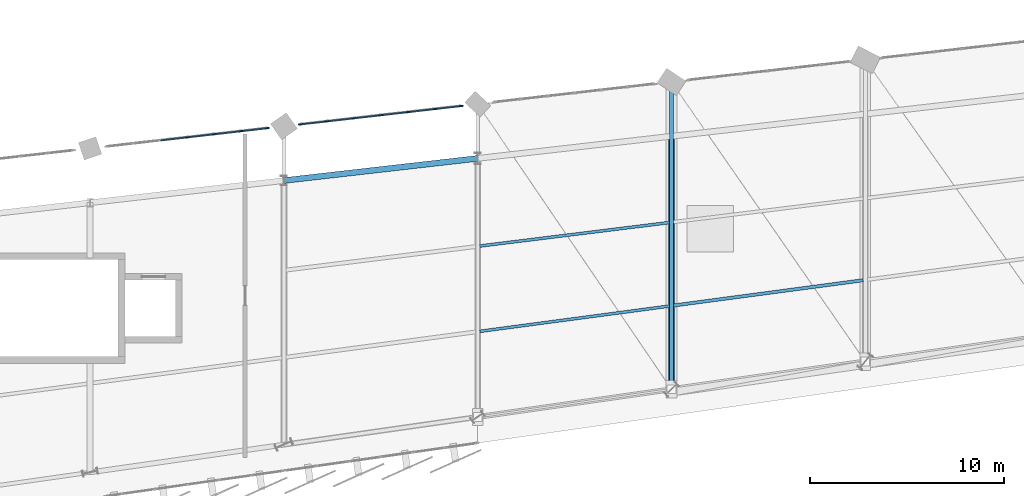
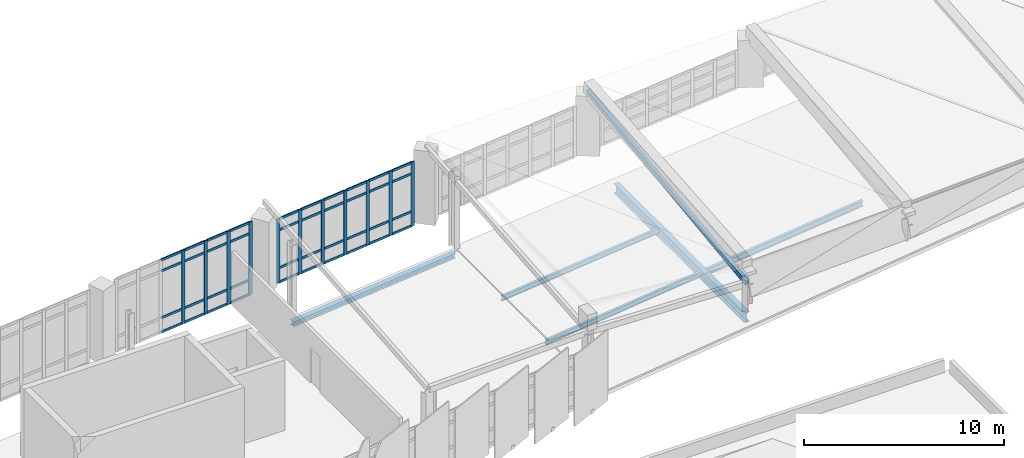
# One storey, part 24 of 67: 52 members, 5 beams, 2 elements without a shape of their own.
"""IFC4 building model written with IfcOpenShell, lengths in metres."""

import ifcopenshell
import ifcopenshell.guid

model = None  # the IFC model being written
_history = None  # IfcOwnerHistory: only IFC2X3 demands one
_inside = {}  # id of a spatial element -> (the spatial element, [elements in it])
_under = {}  # id of a project, library or spatial element -> (it, [spatial elements below it])
_declared = {}  # id of a project -> (the project, [libraries it declares])
_typed = {}  # id of a type object -> (the type object, [elements of that type])
_made_of = {}  # id of a material, layer set ... -> (it, [elements and type objects made of it])


def new_model(schema):
    """Start an empty IFC model of exactly this schema.

    Asked for "IFC4X3", IfcOpenShell would pick the latest addendum, in which some entities
    have other attributes; the version numbers below select the first issue.
    IFC2X3 requires an IfcOwnerHistory on every rooted entity: one is made here for all.
    """
    global model, _history
    if schema == "IFC4X3":
        model = ifcopenshell.file(schema_version=(4, 3, 0, 0))
    else:
        model = ifcopenshell.file(schema=schema)
    _inside.clear()
    _under.clear()
    _declared.clear()
    _typed.clear()
    _made_of.clear()
    _history = None
    if model.schema == "IFC2X3":
        org = make("IfcOrganization", Name="unknown")
        user = make(
            "IfcPersonAndOrganization",
            ThePerson=make("IfcPerson", FamilyName="unknown"),
            TheOrganization=org,
        )
        app = make(
            "IfcApplication",
            ApplicationDeveloper=org,
            Version="unknown",
            ApplicationFullName="unknown",
            ApplicationIdentifier="unknown",
        )
        _history = make(
            "IfcOwnerHistory",
            OwningUser=user,
            OwningApplication=app,
            ChangeAction="ADDED",
            CreationDate=0,
        )
    return model


def make(cls, **values):
    """One entity of the class cls with the attributes given. An attribute that is None is left unset."""
    return model.create_entity(
        cls, **{name: value for name, value in values.items() if value is not None}
    )


def rooted(cls, **values):
    """An entity with a GlobalId (a new one), such as an element, a storey or a relation."""
    return make(cls, GlobalId=ifcopenshell.guid.new(), OwnerHistory=_history, **values)


def si_unit(unit_type, name, prefix=None):
    """IfcSIUnit, for example si_unit("LENGTHUNIT", "METRE", prefix="MILLI")."""
    return make("IfcSIUnit", UnitType=unit_type, Prefix=prefix, Name=name)


def assignment(units):
    """IfcUnitAssignment: the units of a project."""
    return None if units is None else make("IfcUnitAssignment", Units=units)


def point(xyz):
    """IfcCartesianPoint."""
    return None if xyz is None else make("IfcCartesianPoint", Coordinates=xyz)


def direction(xyz):
    """IfcDirection."""
    return None if xyz is None else make("IfcDirection", DirectionRatios=xyz)


def frame(location, z_axis=None, x_axis=None):
    """IfcAxis2Placement3D, a coordinate frame: its origin and axes. An axis left out is left unset."""
    return make(
        "IfcAxis2Placement3D",
        Location=point(location),
        Axis=direction(z_axis),
        RefDirection=direction(x_axis),
    )


def frame_2d(location, x_axis=None):
    """IfcAxis2Placement2D, a coordinate frame in the plane: its origin and x axis."""
    return make(
        "IfcAxis2Placement2D", Location=point(location), RefDirection=direction(x_axis)
    )


def origin():
    """The frame at (0, 0, 0) with its axes left unset."""
    return frame((0.0, 0.0, 0.0))


def origin_2d():
    """The frame at (0, 0) in the plane with its x axis left unset."""
    return frame_2d((0.0, 0.0))


def place(relative_to, where):
    """IfcLocalPlacement: puts the frame where relative to a parent placement (None: the world)."""
    return make(
        "IfcLocalPlacement", PlacementRelTo=relative_to, RelativePlacement=where
    )


def context(
    kind, dimensions, precision=None, world=None, true_north=None, identifier=None
):
    """IfcGeometricRepresentationContext, for example the 3D "Model" context."""
    return make(
        "IfcGeometricRepresentationContext",
        ContextIdentifier=identifier,
        ContextType=kind,
        CoordinateSpaceDimension=dimensions,
        Precision=precision,
        WorldCoordinateSystem=world,
        TrueNorth=true_north,
    )


def subcontext(parent, identifier, kind, view, scale=None):
    """IfcGeometricRepresentationSubContext, for example "Body" below "Model"."""
    return make(
        "IfcGeometricRepresentationSubContext",
        ContextIdentifier=identifier,
        ContextType=kind,
        ParentContext=parent,
        TargetScale=scale,
        TargetView=view,
    )


def project(units=None, contexts=None):
    """IfcProject with its units and contexts."""
    return rooted(
        "IfcProject",
        Name="project",
        RepresentationContexts=contexts,
        UnitsInContext=assignment(units),
    )


def spatial(cls, under=None, at=None, **own):
    """A site, building, storey or space (cls), placed at a placement, below another one or the project."""
    s = rooted(cls, ObjectPlacement=at, **own)
    if under is not None:
        _under.setdefault(under.id(), (under, []))[1].append(s)
    return s


def profile(cls, at=None, kind="AREA", **sizes):
    """A parametric profile (cls). Its sizes go by their IFC names, for example OverallWidth=200.0."""
    return make(cls, ProfileType=kind, Position=at, **sizes)


def rectangle(**sizes):
    """IfcRectangleProfileDef."""
    return profile("IfcRectangleProfileDef", **sizes)


def hollow_rectangle(**sizes):
    """IfcRectangleHollowProfileDef."""
    return profile("IfcRectangleHollowProfileDef", **sizes)


def i_section(**sizes):
    """IfcIShapeProfileDef."""
    return profile("IfcIShapeProfileDef", **sizes)


def extrude(swept, where, along, depth):
    """IfcExtrudedAreaSolid: the profile swept, set in the frame where, extruded along a direction by depth."""
    return make(
        "IfcExtrudedAreaSolid",
        SweptArea=swept,
        Position=where,
        ExtrudedDirection=direction(along),
        Depth=depth,
    )


def shape(context_of_items, identifier, shape_type, items):
    """IfcShapeRepresentation: the items that make up one representation, for example the "Body"."""
    return make(
        "IfcShapeRepresentation",
        ContextOfItems=context_of_items,
        RepresentationIdentifier=identifier,
        RepresentationType=shape_type,
        Items=items,
    )


def material(Name=None, Category=None):
    """IfcMaterial."""
    return make("IfcMaterial", Name=Name, Category=Category)


def layer(
    of_material, thickness, ventilated=None, Name=None, Category=None, Priority=None
):
    """IfcMaterialLayer: one layer of a wall or slab, of a material (None: an air gap)."""
    return make(
        "IfcMaterialLayer",
        Material=of_material,
        LayerThickness=thickness,
        IsVentilated=ventilated,
        Name=Name,
        Category=Category,
        Priority=Priority,
    )


def layer_set(layers, Name=None):
    """IfcMaterialLayerSet."""
    return make("IfcMaterialLayerSet", MaterialLayers=layers, LayerSetName=Name)


def material_profile(
    of_material, cross_section, Name=None, Category=None, Priority=None
):
    """IfcMaterialProfile: a cross section and its material."""
    return make(
        "IfcMaterialProfile",
        Name=Name,
        Material=of_material,
        Profile=cross_section,
        Priority=Priority,
        Category=Category,
    )


def profile_set(profiles, Name=None, composite=None):
    """IfcMaterialProfileSet."""
    return make(
        "IfcMaterialProfileSet",
        Name=Name,
        MaterialProfiles=profiles,
        CompositeProfile=composite,
    )


def made_of(thing, what):
    """Note that an element or type object is made of a material, layer set ...; save() writes the relation."""
    if what is not None:
        _made_of.setdefault(what.id(), (what, []))[1].append(thing)
    return thing


def type_object(cls, material=None, **own):
    """A type object (cls), such as IfcWallType, which elements share."""
    return made_of(rooted(cls, **own), material)


def element(
    cls,
    number,
    at=None,
    inside=None,
    cuts=None,
    type_object=None,
    material=None,
    context=None,
    identifier="Body",
    shape_type=None,
    held_by="IfcProductDefinitionShape",
    body=None,
    shapes=None,
    **own,
):
    """One element of the class cls, such as IfcWall. Its Tag is "e" and its number.

    at: its placement. inside: the storey or other place that contains it. cuts: it is an
    opening in that element (IfcRelVoidsElement). A single representation is given by context,
    identifier, shape_type and body (its items); several are given by shapes. held_by: the class
    of the entity that holds the representations. save() writes the other relations.
    """
    e = rooted(cls, Tag="e%d" % number, ObjectPlacement=at, **own)
    if body is not None:
        shapes = [shape(context, identifier, shape_type, body)]
    if shapes is not None:
        e.Representation = make(held_by, Representations=shapes)
    if inside is not None:
        _inside.setdefault(inside.id(), (inside, []))[1].append(e)
    if cuts is not None:
        rooted(
            "IfcRelVoidsElement", RelatingBuildingElement=cuts, RelatedOpeningElement=e
        )
    if type_object is not None:
        _typed.setdefault(type_object.id(), (type_object, []))[1].append(e)
    return made_of(e, material)


def aggregate(whole, parts):
    """IfcRelAggregates: a whole, such as a stair, and the parts it consists of."""
    return rooted("IfcRelAggregates", RelatingObject=whole, RelatedObjects=parts)


def save(model, path):
    """Write the relations noted so far, then the file.

    IfcRelAggregates (storeys below a building ...), IfcRelContainedInSpatialStructure (elements
    in a storey), IfcRelDefinesByType, IfcRelAssociatesMaterial and IfcRelDeclares: one each for
    every whole, place, type object, material and project.
    """
    for whole, parts in _under.values():
        aggregate(whole, parts)
    for where, things in _inside.values():
        rooted(
            "IfcRelContainedInSpatialStructure",
            RelatedElements=things,
            RelatingStructure=where,
        )
    for kind, things in _typed.values():
        rooted("IfcRelDefinesByType", RelatedObjects=things, RelatingType=kind)
    for what, things in _made_of.values():
        rooted("IfcRelAssociatesMaterial", RelatedObjects=things, RelatingMaterial=what)
    for by, libraries in _declared.values():
        rooted("IfcRelDeclares", RelatingContext=by, RelatedDefinitions=libraries)
    model.write(path)


model = new_model("IFC4")

# Units and contexts
model_context = context("Model", 3, precision=1e-05, world=origin(), true_north=direction((0.0, 1.0)))
body_context = subcontext(model_context, "Body", "Model", "MODEL_VIEW")
ifc_project = project(units=[si_unit("LENGTHUNIT", "METRE"), si_unit("AREAUNIT", "SQUARE_METRE"), si_unit("VOLUMEUNIT", "CUBIC_METRE"), si_unit("PLANEANGLEUNIT", "RADIAN"), si_unit("MASSUNIT", "GRAM", prefix="KILO")], contexts=[model_context])

# Site, building, storey
site_placement = place(None, origin())
site = spatial("IfcSite", under=ifc_project, at=site_placement, CompositionType="ELEMENT")
building_placement = place(site_placement, origin())
building = spatial("IfcBuilding", under=site, at=building_placement, Name="Sohan Crest Arena", CompositionType="ELEMENT")
storey_placement = place(building_placement, frame((0.0, 0.0, 22.5)))
storey = spatial("IfcBuildingStorey", under=building, at=storey_placement, Name="L05", CompositionType="ELEMENT", Elevation=22.5)

# Curtain wall, members
ifc_material_1 = material(Name="Thermally broken anodised aluminium", Category="aluminium")
ifc_layer = layer(ifc_material_1, 0.18994140625, Name="Thermally broken anodised aluminium")
ifc_layer_set = layer_set([ifc_layer], Name="Thermally broken anodised aluminium")
curtain_wall_type = type_object("IfcCurtainWallType", Name="ARC-CW05", PredefinedType="NOTDEFINED", material=ifc_layer_set)
curtain_wall_1_placement = place(storey_placement, origin())
curtain_wall_1 = element("IfcCurtainWall", 1, at=curtain_wall_1_placement, inside=storey, type_object=curtain_wall_type, Name="Unitised curtain wall CW-190", PredefinedType="NOTDEFINED")
ifc_material_profile_1 = material_profile(ifc_material_1, rectangle(XDim=0.070068359375, YDim=0.199951171875, at=origin_2d()), Name="ALU-MULL 70x200")
ifc_profile_set_1 = profile_set([ifc_material_profile_1], Name="Thermally broken anodised aluminium")
member_type_1 = type_object("IfcMemberType", Name="ARC-CW-ML03", PredefinedType="MULLION", material=ifc_profile_set_1)
member_1_placement = place(storey_placement, frame((113.0, 48.714599609375, 0.0), z_axis=(0.0, 0.0, 1.0), x_axis=(-0.11359680696, 0.993526932422, 0.0)))
member_1 = element("IfcMember", 2, at=member_1_placement, type_object=member_type_1, Name="CW-190 mullion 4", PredefinedType="MULLION", context=body_context, shape_type="SweptSolid", body=[
    extrude(rectangle(XDim=0.070068359375, YDim=0.199951171875, at=origin_2d()), origin(), (0.0, 0.0, 1.0), 4.449951171875),
])
member_2_placement = place(storey_placement, frame((114.39501953125, 48.8740234375, 0.0), z_axis=(0.0, 0.0, 1.0), x_axis=(-0.11359680696, 0.993526932422, 0.0)))
member_2 = element("IfcMember", 3, at=member_2_placement, type_object=member_type_1, Name="CW-190 mullion 5", PredefinedType="MULLION", context=body_context, shape_type="SweptSolid", body=[
    extrude(rectangle(XDim=0.070068359375, YDim=0.199951171875, at=origin_2d()), origin(), (0.0, 0.0, 1.0), 4.449951171875),
])
member_3_placement = place(storey_placement, frame((115.7900390625, 49.033447265625, 0.0), z_axis=(0.0, 0.0, 1.0), x_axis=(-0.11359680696, 0.993526932422, 0.0)))
member_3 = element("IfcMember", 4, at=member_3_placement, type_object=member_type_1, Name="CW-190 mullion 6", PredefinedType="MULLION", context=body_context, shape_type="SweptSolid", body=[
    extrude(rectangle(XDim=0.070068359375, YDim=0.199951171875, at=origin_2d()), origin(), (0.0, 0.0, 1.0), 4.449951171875),
])
member_4_placement = place(storey_placement, frame((117.150146484375, 49.18896484375, 0.0), z_axis=(0.0, 0.0, 1.0), x_axis=(-0.11359680696, 0.993526932422, 0.0)))
member_4 = element("IfcMember", 5, at=member_4_placement, type_object=member_type_1, Name="CW-190 mullion 7", PredefinedType="MULLION", context=body_context, shape_type="SweptSolid", body=[
    extrude(rectangle(XDim=0.070068359375, YDim=0.199951171875, at=origin_2d()), origin(), (0.0, 0.0, 1.0), 4.449951171875),
])

curtain_wall_2_placement = place(storey_placement, origin())
curtain_wall_2 = element("IfcCurtainWall", 6, at=curtain_wall_2_placement, inside=storey, type_object=curtain_wall_type, Name="Unitised curtain wall CW-191", PredefinedType="NOTDEFINED")
member_5_placement = place(storey_placement, frame((118.849853515625, 49.383056640625, 0.0), z_axis=(0.0, 0.0, 1.0), x_axis=(-0.11359680696, 0.993526932422, 0.0)))
member_5 = element("IfcMember", 7, at=member_5_placement, type_object=member_type_1, Name="CW-191 mullion 1", PredefinedType="MULLION", context=body_context, shape_type="SweptSolid", body=[
    extrude(rectangle(XDim=0.070068359375, YDim=0.199951171875, at=origin_2d()), origin(), (0.0, 0.0, 1.0), 3.906005859375),
])
member_6_placement = place(storey_placement, frame((120.2099609375, 49.53857421875, 0.0), z_axis=(0.0, 0.0, 1.0), x_axis=(-0.11359680696, 0.993526932422, 0.0)))
member_6 = element("IfcMember", 8, at=member_6_placement, type_object=member_type_1, Name="CW-191 mullion 2", PredefinedType="MULLION", context=body_context, shape_type="SweptSolid", body=[
    extrude(rectangle(XDim=0.070068359375, YDim=0.199951171875, at=origin_2d()), origin(), (0.0, 0.0, 1.0), 3.906005859375),
])
member_7_placement = place(storey_placement, frame((121.60498046875, 49.697998046875, 0.0), z_axis=(0.0, 0.0, 1.0), x_axis=(-0.11359680696, 0.993526932422, 0.0)))
member_7 = element("IfcMember", 9, at=member_7_placement, type_object=member_type_1, Name="CW-191 mullion 3", PredefinedType="MULLION", context=body_context, shape_type="SweptSolid", body=[
    extrude(rectangle(XDim=0.070068359375, YDim=0.199951171875, at=origin_2d()), origin(), (0.0, 0.0, 1.0), 3.906005859375),
])
member_8_placement = place(storey_placement, frame((123.0, 49.857421875, 0.0), z_axis=(0.0, 0.0, 1.0), x_axis=(-0.11359680696, 0.993526932422, 0.0)))
member_8 = element("IfcMember", 10, at=member_8_placement, type_object=member_type_1, Name="CW-191 mullion 4", PredefinedType="MULLION", context=body_context, shape_type="SweptSolid", body=[
    extrude(rectangle(XDim=0.070068359375, YDim=0.199951171875, at=origin_2d()), origin(), (0.0, 0.0, 1.0), 3.906005859375),
])
member_9_placement = place(storey_placement, frame((124.39501953125, 50.01708984375, 0.0), z_axis=(0.0, 0.0, 1.0), x_axis=(-0.11359680696, 0.993526932422, 0.0)))
member_9 = element("IfcMember", 11, at=member_9_placement, type_object=member_type_1, Name="CW-191 mullion 5", PredefinedType="MULLION", context=body_context, shape_type="SweptSolid", body=[
    extrude(rectangle(XDim=0.070068359375, YDim=0.199951171875, at=origin_2d()), origin(), (0.0, 0.0, 1.0), 3.906005859375),
])
member_10_placement = place(storey_placement, frame((125.7900390625, 50.176513671875, 0.0), z_axis=(0.0, 0.0, 1.0), x_axis=(-0.11359680696, 0.993526932422, 0.0)))
member_10 = element("IfcMember", 12, at=member_10_placement, type_object=member_type_1, Name="CW-191 mullion 6", PredefinedType="MULLION", context=body_context, shape_type="SweptSolid", body=[
    extrude(rectangle(XDim=0.070068359375, YDim=0.199951171875, at=origin_2d()), origin(), (0.0, 0.0, 1.0), 3.906005859375),
])
member_11_placement = place(storey_placement, frame((127.150146484375, 50.33203125, 0.0), z_axis=(0.0, 0.0, 1.0), x_axis=(-0.11359680696, 0.993526932422, 0.0)))
member_11 = element("IfcMember", 13, at=member_11_placement, type_object=member_type_1, Name="CW-191 mullion 7", PredefinedType="MULLION", context=body_context, shape_type="SweptSolid", body=[
    extrude(rectangle(XDim=0.070068359375, YDim=0.199951171875, at=origin_2d()), origin(), (0.0, 0.0, 1.0), 3.906005859375),
])

# Member
ifc_material_profile_2 = material_profile(ifc_material_1, rectangle(XDim=0.06494140625, YDim=0.139892578125, at=origin_2d()), Name="ALU-TRAN 65x140")
ifc_profile_set_2 = profile_set([ifc_material_profile_2], Name="Thermally broken anodised aluminium")
member_type_2 = type_object("IfcMemberType", Name="ARC-CW-TR02", PredefinedType="USERDEFINED", material=ifc_profile_set_2)
member_12_placement = place(storey_placement, frame((111.639892578125, 48.55908203125, 0.032470703125), z_axis=(0.993542107108, 0.113464009285, 0.0), x_axis=(-0.113464009285, 0.993542107108, 0.0)))
member_12 = element("IfcMember", 14, at=member_12_placement, type_object=member_type_2, Name="CW-190 transom 3.1", ObjectType="TRANSOM", PredefinedType="USERDEFINED", context=body_context, shape_type="SweptSolid", body=[
    extrude(rectangle(XDim=0.06494140625, YDim=0.139892578125, at=origin_2d()), origin(), (0.0, 0.0, 1.0), 1.333984375),
])

member_13_placement = place(storey_placement, frame((111.639892578125, 48.55908203125, 0.89990234375), z_axis=(0.993542107108, 0.113464009285, 0.0), x_axis=(-0.113464009285, 0.993542107108, 0.0)))
member_13 = element("IfcMember", 15, at=member_13_placement, type_object=member_type_2, Name="CW-190 transom 3.2", ObjectType="TRANSOM", PredefinedType="USERDEFINED", context=body_context, shape_type="SweptSolid", body=[
    extrude(rectangle(XDim=0.06494140625, YDim=0.139892578125, at=origin_2d()), origin(), (0.0, 0.0, 1.0), 1.333984375),
])

member_14_placement = place(storey_placement, frame((111.639892578125, 48.55908203125, 3.75), z_axis=(0.993542107108, 0.113464009285, 0.0), x_axis=(-0.113464009285, 0.993542107108, 0.0)))
member_14 = element("IfcMember", 16, at=member_14_placement, type_object=member_type_2, Name="CW-190 transom 3.3", ObjectType="TRANSOM", PredefinedType="USERDEFINED", context=body_context, shape_type="SweptSolid", body=[
    extrude(rectangle(XDim=0.06494140625, YDim=0.139892578125, at=origin_2d()), origin(), (0.0, 0.0, 1.0), 1.333984375),
])

member_15_placement = place(storey_placement, frame((111.639892578125, 48.55908203125, 4.41748046875), z_axis=(0.993542107108, 0.113464009285, 0.0), x_axis=(-0.113464009285, 0.993542107108, 0.0)))
member_15 = element("IfcMember", 17, at=member_15_placement, type_object=member_type_2, Name="CW-190 transom 3.4", ObjectType="TRANSOM", PredefinedType="USERDEFINED", context=body_context, shape_type="SweptSolid", body=[
    extrude(rectangle(XDim=0.06494140625, YDim=0.139892578125, at=origin_2d()), origin(), (0.0, 0.0, 1.0), 1.333984375),
])

member_16_placement = place(storey_placement, frame((113.03466796875, 48.718505859375, 0.032470703125), z_axis=(0.993521460563, 0.113644654082, 0.0), x_axis=(-0.113644654082, 0.993521460563, 0.0)))
member_16 = element("IfcMember", 18, at=member_16_placement, type_object=member_type_2, Name="CW-190 transom 4.1", ObjectType="TRANSOM", PredefinedType="USERDEFINED", context=body_context, shape_type="SweptSolid", body=[
    extrude(rectangle(XDim=0.06494140625, YDim=0.139892578125, at=origin_2d()), origin(), (0.0, 0.0, 1.0), 1.333984375),
])

member_17_placement = place(storey_placement, frame((113.03466796875, 48.718505859375, 0.89990234375), z_axis=(0.993521460563, 0.113644654082, 0.0), x_axis=(-0.113644654082, 0.993521460563, 0.0)))
member_17 = element("IfcMember", 19, at=member_17_placement, type_object=member_type_2, Name="CW-190 transom 4.2", ObjectType="TRANSOM", PredefinedType="USERDEFINED", context=body_context, shape_type="SweptSolid", body=[
    extrude(rectangle(XDim=0.06494140625, YDim=0.139892578125, at=origin_2d()), origin(), (0.0, 0.0, 1.0), 1.333984375),
])

member_18_placement = place(storey_placement, frame((113.03466796875, 48.718505859375, 3.75), z_axis=(0.993521460563, 0.113644654082, 0.0), x_axis=(-0.113644654082, 0.993521460563, 0.0)))
member_18 = element("IfcMember", 20, at=member_18_placement, type_object=member_type_2, Name="CW-190 transom 4.3", ObjectType="TRANSOM", PredefinedType="USERDEFINED", context=body_context, shape_type="SweptSolid", body=[
    extrude(rectangle(XDim=0.06494140625, YDim=0.139892578125, at=origin_2d()), origin(), (0.0, 0.0, 1.0), 1.333984375),
])

member_19_placement = place(storey_placement, frame((113.03466796875, 48.718505859375, 4.41748046875), z_axis=(0.993521460563, 0.113644654082, 0.0), x_axis=(-0.113644654082, 0.993521460563, 0.0)))
member_19 = element("IfcMember", 21, at=member_19_placement, type_object=member_type_2, Name="CW-190 transom 4.4", ObjectType="TRANSOM", PredefinedType="USERDEFINED", context=body_context, shape_type="SweptSolid", body=[
    extrude(rectangle(XDim=0.06494140625, YDim=0.139892578125, at=origin_2d()), origin(), (0.0, 0.0, 1.0), 1.333984375),
])

member_20_placement = place(storey_placement, frame((114.4296875, 48.8779296875, 0.032470703125), z_axis=(0.993521460563, 0.113644654082, 0.0), x_axis=(-0.113644654082, 0.993521460563, 0.0)))
member_20 = element("IfcMember", 22, at=member_20_placement, type_object=member_type_2, Name="CW-190 transom 5.1", ObjectType="TRANSOM", PredefinedType="USERDEFINED", context=body_context, shape_type="SweptSolid", body=[
    extrude(rectangle(XDim=0.06494140625, YDim=0.139892578125, at=origin_2d()), origin(), (0.0, 0.0, 1.0), 1.333984375),
])

member_21_placement = place(storey_placement, frame((114.4296875, 48.8779296875, 0.89990234375), z_axis=(0.993521460563, 0.113644654082, 0.0), x_axis=(-0.113644654082, 0.993521460563, 0.0)))
member_21 = element("IfcMember", 23, at=member_21_placement, type_object=member_type_2, Name="CW-190 transom 5.2", ObjectType="TRANSOM", PredefinedType="USERDEFINED", context=body_context, shape_type="SweptSolid", body=[
    extrude(rectangle(XDim=0.06494140625, YDim=0.139892578125, at=origin_2d()), origin(), (0.0, 0.0, 1.0), 1.333984375),
])

member_22_placement = place(storey_placement, frame((114.4296875, 48.8779296875, 3.75), z_axis=(0.993521460563, 0.113644654082, 0.0), x_axis=(-0.113644654082, 0.993521460563, 0.0)))
member_22 = element("IfcMember", 24, at=member_22_placement, type_object=member_type_2, Name="CW-190 transom 5.3", ObjectType="TRANSOM", PredefinedType="USERDEFINED", context=body_context, shape_type="SweptSolid", body=[
    extrude(rectangle(XDim=0.06494140625, YDim=0.139892578125, at=origin_2d()), origin(), (0.0, 0.0, 1.0), 1.333984375),
])

member_23_placement = place(storey_placement, frame((114.4296875, 48.8779296875, 4.41748046875), z_axis=(0.993521460563, 0.113644654082, 0.0), x_axis=(-0.113644654082, 0.993521460563, 0.0)))
member_23 = element("IfcMember", 25, at=member_23_placement, type_object=member_type_2, Name="CW-190 transom 5.4", ObjectType="TRANSOM", PredefinedType="USERDEFINED", context=body_context, shape_type="SweptSolid", body=[
    extrude(rectangle(XDim=0.06494140625, YDim=0.139892578125, at=origin_2d()), origin(), (0.0, 0.0, 1.0), 1.333984375),
])

member_24_placement = place(storey_placement, frame((115.82470703125, 49.03759765625, 0.032470703125), z_axis=(0.993537517414, 0.113504191511, 0.0), x_axis=(-0.113504191511, 0.993537517414, 0.0)))
member_24 = element("IfcMember", 26, at=member_24_placement, type_object=member_type_2, Name="CW-190 transom 6.1", ObjectType="TRANSOM", PredefinedType="USERDEFINED", context=body_context, shape_type="SweptSolid", body=[
    extrude(rectangle(XDim=0.06494140625, YDim=0.139892578125, at=origin_2d()), origin(), (0.0, 0.0, 1.0), 1.299072265625),
])

member_25_placement = place(storey_placement, frame((115.82470703125, 49.03759765625, 0.89990234375), z_axis=(0.993537517414, 0.113504191511, 0.0), x_axis=(-0.113504191511, 0.993537517414, 0.0)))
member_25 = element("IfcMember", 27, at=member_25_placement, type_object=member_type_2, Name="CW-190 transom 6.2", ObjectType="TRANSOM", PredefinedType="USERDEFINED", context=body_context, shape_type="SweptSolid", body=[
    extrude(rectangle(XDim=0.06494140625, YDim=0.139892578125, at=origin_2d()), origin(), (0.0, 0.0, 1.0), 1.299072265625),
])

member_26_placement = place(storey_placement, frame((115.82470703125, 49.03759765625, 3.75), z_axis=(0.993537517414, 0.113504191511, 0.0), x_axis=(-0.113504191511, 0.993537517414, 0.0)))
member_26 = element("IfcMember", 28, at=member_26_placement, type_object=member_type_2, Name="CW-190 transom 6.3", ObjectType="TRANSOM", PredefinedType="USERDEFINED", context=body_context, shape_type="SweptSolid", body=[
    extrude(rectangle(XDim=0.06494140625, YDim=0.139892578125, at=origin_2d()), origin(), (0.0, 0.0, 1.0), 1.299072265625),
])

member_27_placement = place(storey_placement, frame((115.82470703125, 49.03759765625, 4.41748046875), z_axis=(0.993537517414, 0.113504191511, 0.0), x_axis=(-0.113504191511, 0.993537517414, 0.0)))
member_27 = element("IfcMember", 29, at=member_27_placement, type_object=member_type_2, Name="CW-190 transom 6.4", ObjectType="TRANSOM", PredefinedType="USERDEFINED", context=body_context, shape_type="SweptSolid", body=[
    extrude(rectangle(XDim=0.06494140625, YDim=0.139892578125, at=origin_2d()), origin(), (0.0, 0.0, 1.0), 1.299072265625),
])

aggregate(curtain_wall_1, [member_1, member_2, member_3, member_4, member_12, member_13, member_14, member_15, member_16, member_17, member_18, member_19, member_20, member_21, member_22, member_23, member_24, member_25, member_26, member_27])

member_28_placement = place(storey_placement, frame((118.884521484375, 49.386962890625, 0.032470703125), z_axis=(0.993537517414, 0.113504191511, 0.0), x_axis=(-0.113504191511, 0.993537517414, 0.0)))
member_28 = element("IfcMember", 30, at=member_28_placement, type_object=member_type_2, Name="CW-191 transom 1.1", ObjectType="TRANSOM", PredefinedType="USERDEFINED", context=body_context, shape_type="SweptSolid", body=[
    extrude(rectangle(XDim=0.06494140625, YDim=0.139892578125, at=origin_2d()), origin(), (0.0, 0.0, 1.0), 1.299072265625),
])

member_29_placement = place(storey_placement, frame((118.884521484375, 49.386962890625, 0.89990234375), z_axis=(0.993537517414, 0.113504191511, 0.0), x_axis=(-0.113504191511, 0.993537517414, 0.0)))
member_29 = element("IfcMember", 31, at=member_29_placement, type_object=member_type_2, Name="CW-191 transom 1.2", ObjectType="TRANSOM", PredefinedType="USERDEFINED", context=body_context, shape_type="SweptSolid", body=[
    extrude(rectangle(XDim=0.06494140625, YDim=0.139892578125, at=origin_2d()), origin(), (0.0, 0.0, 1.0), 1.299072265625),
])

member_30_placement = place(storey_placement, frame((118.884521484375, 49.386962890625, 3.2060546875), z_axis=(0.993537517414, 0.113504191511, 0.0), x_axis=(-0.113504191511, 0.993537517414, 0.0)))
member_30 = element("IfcMember", 32, at=member_30_placement, type_object=member_type_2, Name="CW-191 transom 1.3", ObjectType="TRANSOM", PredefinedType="USERDEFINED", context=body_context, shape_type="SweptSolid", body=[
    extrude(rectangle(XDim=0.06494140625, YDim=0.139892578125, at=origin_2d()), origin(), (0.0, 0.0, 1.0), 1.299072265625),
])

member_31_placement = place(storey_placement, frame((118.884521484375, 49.386962890625, 3.87353515625), z_axis=(0.993537517414, 0.113504191511, 0.0), x_axis=(-0.113504191511, 0.993537517414, 0.0)))
member_31 = element("IfcMember", 33, at=member_31_placement, type_object=member_type_2, Name="CW-191 transom 1.4", ObjectType="TRANSOM", PredefinedType="USERDEFINED", context=body_context, shape_type="SweptSolid", body=[
    extrude(rectangle(XDim=0.06494140625, YDim=0.139892578125, at=origin_2d()), origin(), (0.0, 0.0, 1.0), 1.299072265625),
])

member_32_placement = place(storey_placement, frame((120.244873046875, 49.54248046875, 0.032470703125), z_axis=(0.993521460563, 0.113644654082, 0.0), x_axis=(-0.113644654082, 0.993521460563, 0.0)))
member_32 = element("IfcMember", 34, at=member_32_placement, type_object=member_type_2, Name="CW-191 transom 2.1", ObjectType="TRANSOM", PredefinedType="USERDEFINED", context=body_context, shape_type="SweptSolid", body=[
    extrude(rectangle(XDim=0.06494140625, YDim=0.139892578125, at=origin_2d()), origin(), (0.0, 0.0, 1.0), 1.333984375),
])

member_33_placement = place(storey_placement, frame((120.244873046875, 49.54248046875, 0.89990234375), z_axis=(0.993521460563, 0.113644654082, 0.0), x_axis=(-0.113644654082, 0.993521460563, 0.0)))
member_33 = element("IfcMember", 35, at=member_33_placement, type_object=member_type_2, Name="CW-191 transom 2.2", ObjectType="TRANSOM", PredefinedType="USERDEFINED", context=body_context, shape_type="SweptSolid", body=[
    extrude(rectangle(XDim=0.06494140625, YDim=0.139892578125, at=origin_2d()), origin(), (0.0, 0.0, 1.0), 1.333984375),
])

member_34_placement = place(storey_placement, frame((120.244873046875, 49.54248046875, 3.2060546875), z_axis=(0.993521460563, 0.113644654082, 0.0), x_axis=(-0.113644654082, 0.993521460563, 0.0)))
member_34 = element("IfcMember", 36, at=member_34_placement, type_object=member_type_2, Name="CW-191 transom 2.3", ObjectType="TRANSOM", PredefinedType="USERDEFINED", context=body_context, shape_type="SweptSolid", body=[
    extrude(rectangle(XDim=0.06494140625, YDim=0.139892578125, at=origin_2d()), origin(), (0.0, 0.0, 1.0), 1.333984375),
])

member_35_placement = place(storey_placement, frame((120.244873046875, 49.54248046875, 3.87353515625), z_axis=(0.993521460563, 0.113644654082, 0.0), x_axis=(-0.113644654082, 0.993521460563, 0.0)))
member_35 = element("IfcMember", 37, at=member_35_placement, type_object=member_type_2, Name="CW-191 transom 2.4", ObjectType="TRANSOM", PredefinedType="USERDEFINED", context=body_context, shape_type="SweptSolid", body=[
    extrude(rectangle(XDim=0.06494140625, YDim=0.139892578125, at=origin_2d()), origin(), (0.0, 0.0, 1.0), 1.333984375),
])

member_36_placement = place(storey_placement, frame((121.639892578125, 49.701904296875, 0.032470703125), z_axis=(0.993521460563, 0.113644654082, 0.0), x_axis=(-0.113644654082, 0.993521460563, 0.0)))
member_36 = element("IfcMember", 38, at=member_36_placement, type_object=member_type_2, Name="CW-191 transom 3.1", ObjectType="TRANSOM", PredefinedType="USERDEFINED", context=body_context, shape_type="SweptSolid", body=[
    extrude(rectangle(XDim=0.06494140625, YDim=0.139892578125, at=origin_2d()), origin(), (0.0, 0.0, 1.0), 1.333984375),
])

member_37_placement = place(storey_placement, frame((121.639892578125, 49.701904296875, 0.89990234375), z_axis=(0.993521460563, 0.113644654082, 0.0), x_axis=(-0.113644654082, 0.993521460563, 0.0)))
member_37 = element("IfcMember", 39, at=member_37_placement, type_object=member_type_2, Name="CW-191 transom 3.2", ObjectType="TRANSOM", PredefinedType="USERDEFINED", context=body_context, shape_type="SweptSolid", body=[
    extrude(rectangle(XDim=0.06494140625, YDim=0.139892578125, at=origin_2d()), origin(), (0.0, 0.0, 1.0), 1.333984375),
])

member_38_placement = place(storey_placement, frame((121.639892578125, 49.701904296875, 3.2060546875), z_axis=(0.993521460563, 0.113644654082, 0.0), x_axis=(-0.113644654082, 0.993521460563, 0.0)))
member_38 = element("IfcMember", 40, at=member_38_placement, type_object=member_type_2, Name="CW-191 transom 3.3", ObjectType="TRANSOM", PredefinedType="USERDEFINED", context=body_context, shape_type="SweptSolid", body=[
    extrude(rectangle(XDim=0.06494140625, YDim=0.139892578125, at=origin_2d()), origin(), (0.0, 0.0, 1.0), 1.333984375),
])

member_39_placement = place(storey_placement, frame((121.639892578125, 49.701904296875, 3.87353515625), z_axis=(0.993521460563, 0.113644654082, 0.0), x_axis=(-0.113644654082, 0.993521460563, 0.0)))
member_39 = element("IfcMember", 41, at=member_39_placement, type_object=member_type_2, Name="CW-191 transom 3.4", ObjectType="TRANSOM", PredefinedType="USERDEFINED", context=body_context, shape_type="SweptSolid", body=[
    extrude(rectangle(XDim=0.06494140625, YDim=0.139892578125, at=origin_2d()), origin(), (0.0, 0.0, 1.0), 1.333984375),
])

member_40_placement = place(storey_placement, frame((123.03466796875, 49.861572265625, 0.032470703125), z_axis=(0.993542107108, 0.113464009285, 0.0), x_axis=(-0.113464009285, 0.993542107108, 0.0)))
member_40 = element("IfcMember", 42, at=member_40_placement, type_object=member_type_2, Name="CW-191 transom 4.1", ObjectType="TRANSOM", PredefinedType="USERDEFINED", context=body_context, shape_type="SweptSolid", body=[
    extrude(rectangle(XDim=0.06494140625, YDim=0.139892578125, at=origin_2d()), origin(), (0.0, 0.0, 1.0), 1.333984375),
])

member_41_placement = place(storey_placement, frame((123.03466796875, 49.861572265625, 0.89990234375), z_axis=(0.993542107108, 0.113464009285, 0.0), x_axis=(-0.113464009285, 0.993542107108, 0.0)))
member_41 = element("IfcMember", 43, at=member_41_placement, type_object=member_type_2, Name="CW-191 transom 4.2", ObjectType="TRANSOM", PredefinedType="USERDEFINED", context=body_context, shape_type="SweptSolid", body=[
    extrude(rectangle(XDim=0.06494140625, YDim=0.139892578125, at=origin_2d()), origin(), (0.0, 0.0, 1.0), 1.333984375),
])

member_42_placement = place(storey_placement, frame((123.03466796875, 49.861572265625, 3.2060546875), z_axis=(0.993542107108, 0.113464009285, 0.0), x_axis=(-0.113464009285, 0.993542107108, 0.0)))
member_42 = element("IfcMember", 44, at=member_42_placement, type_object=member_type_2, Name="CW-191 transom 4.3", ObjectType="TRANSOM", PredefinedType="USERDEFINED", context=body_context, shape_type="SweptSolid", body=[
    extrude(rectangle(XDim=0.06494140625, YDim=0.139892578125, at=origin_2d()), origin(), (0.0, 0.0, 1.0), 1.333984375),
])

member_43_placement = place(storey_placement, frame((123.03466796875, 49.861572265625, 3.87353515625), z_axis=(0.993542107108, 0.113464009285, 0.0), x_axis=(-0.113464009285, 0.993542107108, 0.0)))
member_43 = element("IfcMember", 45, at=member_43_placement, type_object=member_type_2, Name="CW-191 transom 4.4", ObjectType="TRANSOM", PredefinedType="USERDEFINED", context=body_context, shape_type="SweptSolid", body=[
    extrude(rectangle(XDim=0.06494140625, YDim=0.139892578125, at=origin_2d()), origin(), (0.0, 0.0, 1.0), 1.333984375),
])

member_44_placement = place(storey_placement, frame((124.4296875, 50.02099609375, 0.032470703125), z_axis=(0.993521460563, 0.113644654082, 0.0), x_axis=(-0.113644654082, 0.993521460563, 0.0)))
member_44 = element("IfcMember", 46, at=member_44_placement, type_object=member_type_2, Name="CW-191 transom 5.1", ObjectType="TRANSOM", PredefinedType="USERDEFINED", context=body_context, shape_type="SweptSolid", body=[
    extrude(rectangle(XDim=0.06494140625, YDim=0.139892578125, at=origin_2d()), origin(), (0.0, 0.0, 1.0), 1.333984375),
])

member_45_placement = place(storey_placement, frame((124.4296875, 50.02099609375, 0.89990234375), z_axis=(0.993521460563, 0.113644654082, 0.0), x_axis=(-0.113644654082, 0.993521460563, 0.0)))
member_45 = element("IfcMember", 47, at=member_45_placement, type_object=member_type_2, Name="CW-191 transom 5.2", ObjectType="TRANSOM", PredefinedType="USERDEFINED", context=body_context, shape_type="SweptSolid", body=[
    extrude(rectangle(XDim=0.06494140625, YDim=0.139892578125, at=origin_2d()), origin(), (0.0, 0.0, 1.0), 1.333984375),
])

member_46_placement = place(storey_placement, frame((124.4296875, 50.02099609375, 3.2060546875), z_axis=(0.993521460563, 0.113644654082, 0.0), x_axis=(-0.113644654082, 0.993521460563, 0.0)))
member_46 = element("IfcMember", 48, at=member_46_placement, type_object=member_type_2, Name="CW-191 transom 5.3", ObjectType="TRANSOM", PredefinedType="USERDEFINED", context=body_context, shape_type="SweptSolid", body=[
    extrude(rectangle(XDim=0.06494140625, YDim=0.139892578125, at=origin_2d()), origin(), (0.0, 0.0, 1.0), 1.333984375),
])

member_47_placement = place(storey_placement, frame((124.4296875, 50.02099609375, 3.87353515625), z_axis=(0.993521460563, 0.113644654082, 0.0), x_axis=(-0.113644654082, 0.993521460563, 0.0)))
member_47 = element("IfcMember", 49, at=member_47_placement, type_object=member_type_2, Name="CW-191 transom 5.4", ObjectType="TRANSOM", PredefinedType="USERDEFINED", context=body_context, shape_type="SweptSolid", body=[
    extrude(rectangle(XDim=0.06494140625, YDim=0.139892578125, at=origin_2d()), origin(), (0.0, 0.0, 1.0), 1.333984375),
])

member_48_placement = place(storey_placement, frame((125.82470703125, 50.180419921875, 0.032470703125), z_axis=(0.99351630859, 0.113689685398, 0.0), x_axis=(-0.113689685398, 0.99351630859, 0.0)))
member_48 = element("IfcMember", 50, at=member_48_placement, type_object=member_type_2, Name="CW-191 transom 6.1", ObjectType="TRANSOM", PredefinedType="USERDEFINED", context=body_context, shape_type="SweptSolid", body=[
    extrude(rectangle(XDim=0.06494140625, YDim=0.139892578125, at=origin_2d()), origin(), (0.0, 0.0, 1.0), 1.29931640625),
])

member_49_placement = place(storey_placement, frame((125.82470703125, 50.180419921875, 0.89990234375), z_axis=(0.99351630859, 0.113689685398, 0.0), x_axis=(-0.113689685398, 0.99351630859, 0.0)))
member_49 = element("IfcMember", 51, at=member_49_placement, type_object=member_type_2, Name="CW-191 transom 6.2", ObjectType="TRANSOM", PredefinedType="USERDEFINED", context=body_context, shape_type="SweptSolid", body=[
    extrude(rectangle(XDim=0.06494140625, YDim=0.139892578125, at=origin_2d()), origin(), (0.0, 0.0, 1.0), 1.29931640625),
])

member_50_placement = place(storey_placement, frame((125.82470703125, 50.180419921875, 3.2060546875), z_axis=(0.99351630859, 0.113689685398, 0.0), x_axis=(-0.113689685398, 0.99351630859, 0.0)))
member_50 = element("IfcMember", 52, at=member_50_placement, type_object=member_type_2, Name="CW-191 transom 6.3", ObjectType="TRANSOM", PredefinedType="USERDEFINED", context=body_context, shape_type="SweptSolid", body=[
    extrude(rectangle(XDim=0.06494140625, YDim=0.139892578125, at=origin_2d()), origin(), (0.0, 0.0, 1.0), 1.29931640625),
])

member_51_placement = place(storey_placement, frame((125.82470703125, 50.180419921875, 3.87353515625), z_axis=(0.99351630859, 0.113689685398, 0.0), x_axis=(-0.113689685398, 0.99351630859, 0.0)))
member_51 = element("IfcMember", 53, at=member_51_placement, type_object=member_type_2, Name="CW-191 transom 6.4", ObjectType="TRANSOM", PredefinedType="USERDEFINED", context=body_context, shape_type="SweptSolid", body=[
    extrude(rectangle(XDim=0.06494140625, YDim=0.139892578125, at=origin_2d()), origin(), (0.0, 0.0, 1.0), 1.29931640625),
])

aggregate(curtain_wall_2, [member_5, member_6, member_7, member_8, member_9, member_10, member_11, member_28, member_29, member_30, member_31, member_32, member_33, member_34, member_35, member_36, member_37, member_38, member_39, member_40, member_41, member_42, member_43, member_44, member_45, member_46, member_47, member_48, member_49, member_50, member_51])

# Beams
ifc_material_2 = material(Name="Steel S355", Category="steel")
ifc_material_profile_3 = material_profile(ifc_material_2, i_section(OverallWidth=0.14990234375, OverallDepth=0.300048828125, WebThickness=0.007080078125, FlangeThickness=0.0107421875, at=origin_2d()), Name="IPE 300")
ifc_profile_set_3 = profile_set([ifc_material_profile_3], Name="Steel S355")
beam_type_1 = type_object("IfcBeamType", Name="STR-BM-B01", PredefinedType="JOIST", material=ifc_profile_set_3)
beam_1_placement = place(storey_placement, frame((128.10888671875, 43.10595703125, -0.3701171875), z_axis=(0.992409914467, 0.122973825131, 0.0), x_axis=(-0.122973825131, 0.992409914467, 0.0)))
element("IfcBeam", 54, at=beam_1_placement, inside=storey, type_object=beam_type_1, Name="Structural beam J-L05-1774", PredefinedType="JOIST", context=body_context, shape_type="SweptSolid", body=[
    extrude(i_section(OverallWidth=0.14990234375, OverallDepth=0.300048828125, WebThickness=0.007080078125, FlangeThickness=0.0107421875, at=origin_2d()), origin(), (0.0, 0.0, 1.0), 9.85693359375),
])
beam_2_placement = place(storey_placement, frame((128.10888671875, 38.7041015625, -0.3701171875), z_axis=(0.991232437337, 0.132129690721, 0.0), x_axis=(-0.132129690721, 0.991232437337, 0.0)))
element("IfcBeam", 55, at=beam_2_placement, inside=storey, type_object=beam_type_1, Name="Structural beam J-L05-1775", PredefinedType="JOIST", context=body_context, shape_type="SweptSolid", body=[
    extrude(i_section(OverallWidth=0.14990234375, OverallDepth=0.300048828125, WebThickness=0.007080078125, FlangeThickness=0.0107421875, at=origin_2d()), origin(), (0.0, 0.0, 1.0), 9.86865234375),
])
ifc_material_profile_4 = material_profile(ifc_material_2, i_section(OverallWidth=0.169921875, OverallDepth=0.360107421875, WebThickness=0.008056640625, FlangeThickness=0.0126953125, at=origin_2d()), Name="IPE 360")
ifc_profile_set_4 = profile_set([ifc_material_profile_4], Name="Steel S355")
beam_type_2 = type_object("IfcBeamType", Name="STR-BM-B02", PredefinedType="JOIST", material=ifc_profile_set_4)
beam_3_placement = place(storey_placement, frame((138.10888671875, 40.0380859375, -0.39990234375), z_axis=(0.991232437337, 0.132129690721, 0.0), x_axis=(-0.132129690721, 0.991232437337, 0.0)))
element("IfcBeam", 56, at=beam_3_placement, inside=storey, type_object=beam_type_2, Name="Structural beam J-L05-1780", PredefinedType="JOIST", context=body_context, shape_type="SweptSolid", body=[
    extrude(i_section(OverallWidth=0.169921875, OverallDepth=0.360107421875, WebThickness=0.008056640625, FlangeThickness=0.0126953125, at=origin_2d()), origin(), (0.0, 0.0, 1.0), 9.86865234375),
])
ifc_material_profile_5 = material_profile(ifc_material_2, i_section(OverallWidth=0.300048828125, OverallDepth=0.590087890625, WebThickness=0.012939453125, FlangeThickness=0.02490234375, at=origin_2d()), Name="HEA 600")
ifc_profile_set_5 = profile_set([ifc_material_profile_5], Name="Steel S355")
beam_type_3 = type_object("IfcBeamType", Name="STR-BM-B11", PredefinedType="BEAM", material=ifc_profile_set_5)
beam_4_placement = place(storey_placement, frame((138.0, 48.77099609375, -0.514892578125), z_axis=(0.0, -1.0, 0.0), x_axis=(1.0, 0.0, 0.0)))
element("IfcBeam", 57, at=beam_4_placement, inside=storey, type_object=beam_type_3, Name="Structural beam G-L05-1776", PredefinedType="BEAM", context=body_context, shape_type="SweptSolid", body=[
    extrude(i_section(OverallWidth=0.300048828125, OverallDepth=0.590087890625, WebThickness=0.012939453125, FlangeThickness=0.02490234375, at=origin_2d()), origin(), (0.0, 0.0, 1.0), 13.056884765625),
])
ifc_material_profile_6 = material_profile(ifc_material_2, i_section(OverallWidth=0.300048828125, OverallDepth=0.300048828125, WebThickness=0.010986328125, FlangeThickness=0.01904296875, at=origin_2d()), Name="HEB 300")
ifc_profile_set_6 = profile_set([ifc_material_profile_6], Name="Steel S355")
beam_type_4 = type_object("IfcBeamType", Name="STR-BM-B12", PredefinedType="BEAM", material=ifc_profile_set_6)
beam_5_placement = place(storey_placement, frame((118.0, 46.486083984375, -0.39990234375), z_axis=(0.993533063564, 0.113543170668, 0.0), x_axis=(-0.113543170668, 0.993533063564, 0.0)))
element("IfcBeam", 58, at=beam_5_placement, inside=storey, type_object=beam_type_4, Name="Structural beam G-L05-1767", PredefinedType="BEAM", context=body_context, shape_type="SweptSolid", body=[
    extrude(i_section(OverallWidth=0.300048828125, OverallDepth=0.300048828125, WebThickness=0.010986328125, FlangeThickness=0.01904296875, at=origin_2d()), origin(), (0.0, 0.0, 1.0), 10.065185546875),
])

# Member
ifc_material_profile_7 = material_profile(ifc_material_2, hollow_rectangle(XDim=0.199951171875, YDim=0.300048828125, WallThickness=0.010009765625, at=origin_2d()), Name="RHS 300x200x10")
ifc_profile_set_7 = profile_set([ifc_material_profile_7], Name="Steel S355")
member_type_3 = type_object("IfcMemberType", Name="STR-MEM-CH03", PredefinedType="CHORD", material=ifc_profile_set_7)
member_52_placement = place(storey_placement, frame((138.0, 51.571044921875, 3.639892578125), z_axis=(0.0, -0.991748082447, -0.128201953814), x_axis=(1.0, 0.0, 0.0)))
element("IfcMember", 59, at=member_52_placement, inside=storey, type_object=member_type_3, Name="Outer roof-edge radial tie chord ORT-17", PredefinedType="CHORD", context=body_context, shape_type="SweptSolid", body=[
    extrude(hollow_rectangle(XDim=0.199951171875, YDim=0.300048828125, WallThickness=0.010009765625, at=origin_2d()), origin(), (0.0, 0.0, 1.0), 15.98876953125),
])

save(model, "model.ifc")
